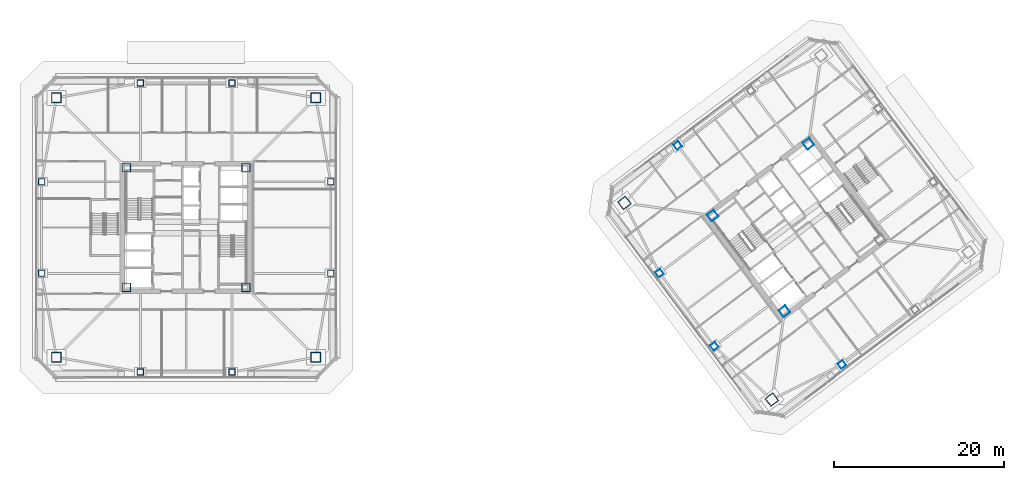
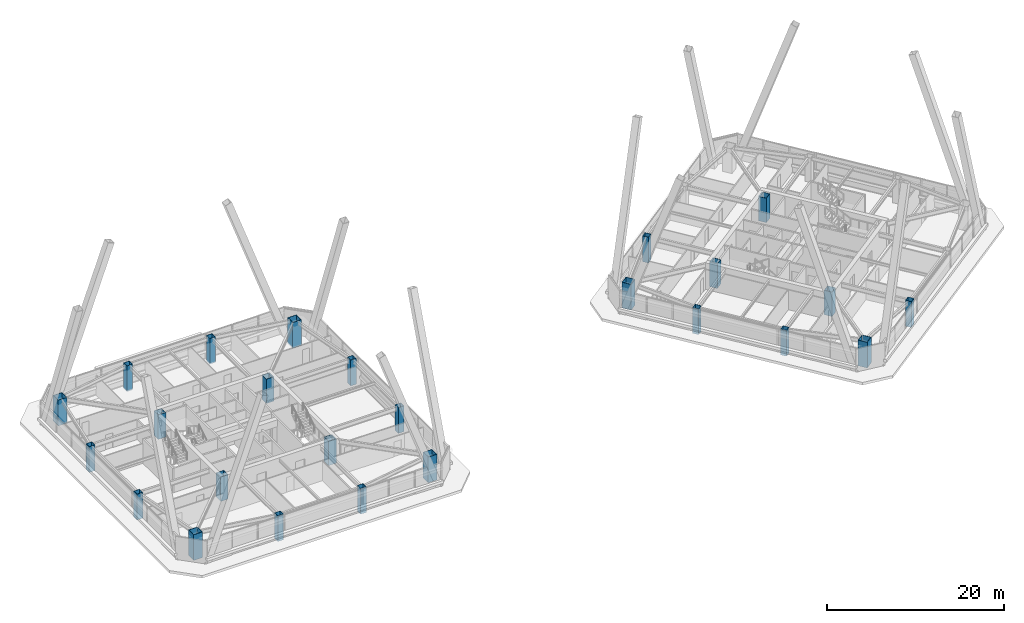
# One storey, part 1 of 65: 25 columns.
"""IFC4 building model written with IfcOpenShell, lengths in metres."""

from ifc_helpers import new_model, si_unit, direction, frame, origin, origin_2d, place, context, subcontext, project, spatial, hollow_rectangle, extrude, material, material_profile, profile_set, type_object, element, save


model = new_model("IFC4")

# Units and contexts
model_context = context("Model", 3, precision=1e-05, world=origin(), true_north=direction((0.0, 1.0)))
body_context = subcontext(model_context, "Body", "Model", "MODEL_VIEW")
ifc_project = project(units=[si_unit("LENGTHUNIT", "METRE"), si_unit("AREAUNIT", "SQUARE_METRE"), si_unit("VOLUMEUNIT", "CUBIC_METRE"), si_unit("PLANEANGLEUNIT", "RADIAN"), si_unit("MASSUNIT", "GRAM", prefix="KILO")], contexts=[model_context])

# Site, building, storey
site_placement = place(None, origin())
site = spatial("IfcSite", under=ifc_project, at=site_placement, CompositionType="ELEMENT")
building_placement = place(site_placement, origin())
building = spatial("IfcBuilding", under=site, at=building_placement, Name="Tashvorn Skyway Center", CompositionType="ELEMENT")
storey_placement = place(building_placement, frame((0.0, 0.0, 157.0)))
storey = spatial("IfcBuildingStorey", under=building, at=storey_placement, Name="L42", CompositionType="ELEMENT", Elevation=157.0)

# Columns
ifc_material = material(Name="Steel ASTM A572 Grade 50", Category="steel")
ifc_material_profile_1 = material_profile(ifc_material, hollow_rectangle(XDim=1.0, YDim=1.0, WallThickness=0.0400390625, at=origin_2d()), Name="BOX1000x1000x40")
ifc_profile_set_1 = profile_set([ifc_material_profile_1], Name="Steel ASTM A572 Grade 50")
column_type_1 = type_object("IfcColumnType", Name="COL-BOX1000x1000x40", PredefinedType="COLUMN", material=ifc_profile_set_1)
for number, where, z_axis, x_axis, name in (
    (1, (34.949951171875, 24.949951171875, 0.0), (0.0, 0.0, 1.0), (1.0, 0.0, 0.0), "Tower 1 L42 Core Corner Column CC-SW"),
    (2, (49.050048828125, 24.949951171875, 0.0), (0.0, 0.0, 1.0), (1.0, 0.0, 0.0), "Tower 1 L42 Core Corner Column CC-SE"),
    (3, (49.050048828125, 39.050048828125, 0.0), (0.0, 0.0, 1.0), (1.0, 0.0, 0.0), "Tower 1 L42 Core Corner Column CC-NE"),
    (4, (34.949951171875, 39.050048828125, 0.0), (0.0, 0.0, 1.0), (1.0, 0.0, 0.0), "Tower 1 L42 Core Corner Column CC-NW"),
    (5, (112.590087890625, 22.1298828125, 0.0), (0.0, 0.0, 1.0), (0.799999996291, 0.600000004945, 0.0), "Tower 2 L42 Core Corner Column CC-SW"),
    (6, (115.409912109375, 41.8701171875, 0.0), (0.0, 0.0, 1.0), (0.799999996291, 0.600000004945, 0.0), "Tower 2 L42 Core Corner Column CC-NE"),
    (7, (104.1298828125, 33.409912109375, 0.0), (0.0, 0.0, 1.0), (0.799999996291, 0.600000004945, 0.0), "Tower 2 L42 Core Corner Column CC-NW"),
):
    element("IfcColumn", number, at=place(storey_placement, frame(where, z_axis=z_axis, x_axis=x_axis)), inside=storey, type_object=column_type_1, Name=name, PredefinedType="COLUMN", context=body_context, shape_type="SweptSolid", body=[
        extrude(hollow_rectangle(XDim=1.0, YDim=1.0, WallThickness=0.0400390625, at=origin_2d()), origin(), (0.0, 0.0, 1.0), 3.3701171875),
    ])
ifc_material_profile_2 = material_profile(ifc_material, hollow_rectangle(XDim=1.14990234375, YDim=1.14990234375, WallThickness=0.044921875, at=origin_2d()), Name="BOX1150x1150x45")
ifc_profile_set_2 = profile_set([ifc_material_profile_2], Name="Steel ASTM A572 Grade 50")
column_type_2 = type_object("IfcColumnType", Name="COL-BOX1150x1150x45", PredefinedType="COLUMN", material=ifc_profile_set_2)
for number, where, z_axis, x_axis, name in (
    (8, (26.699951171875, 16.699951171875, -0.175048828125), (0.0, 0.0, 1.0), (1.0, 0.0, 0.0), "Tower 1 L42 Mega-Column MC-SW"),
    (9, (57.300048828125, 16.699951171875, -0.175048828125), (0.0, 0.0, 1.0), (1.0, 0.0, 0.0), "Tower 1 L42 Mega-Column MC-SE"),
    (10, (57.300048828125, 47.300048828125, -0.175048828125), (0.0, 0.0, 1.0), (1.0, 0.0, 0.0), "Tower 1 L42 Mega-Column MC-NE"),
    (11, (26.699951171875, 47.300048828125, -0.175048828125), (0.0, 0.0, 1.0), (1.0, 0.0, 0.0), "Tower 1 L42 Mega-Column MC-NW"),
    (12, (111.10009765625, 11.699951171875, -0.175048828125), (0.0, 0.0, 1.0), (0.799999996291, 0.600000004945, 0.0), "Tower 2 L42 Mega-Column MC-SW"),
    (13, (93.699951171875, 34.89990234375, -0.175048828125), (0.0, 0.0, 1.0), (0.799999996291, 0.600000004945, 0.0), "Tower 2 L42 Mega-Column MC-NW"),
):
    element("IfcColumn", number, at=place(storey_placement, frame(where, z_axis=z_axis, x_axis=x_axis)), inside=storey, type_object=column_type_2, Name=name, PredefinedType="COLUMN", context=body_context, shape_type="SweptSolid", body=[
        extrude(hollow_rectangle(XDim=1.14990234375, YDim=1.14990234375, WallThickness=0.044921875, at=origin_2d()), origin(), (0.0, 0.0, 1.0), 3.545166015625),
    ])
ifc_material_profile_3 = material_profile(ifc_material, hollow_rectangle(XDim=0.75, YDim=0.75, WallThickness=0.031982421875, at=origin_2d()), Name="BOX750x750x32")
ifc_profile_set_3 = profile_set([ifc_material_profile_3], Name="Steel ASTM A572 Grade 50")
column_type_3 = type_object("IfcColumnType", Name="COL-BOX750x750x32", PredefinedType="COLUMN", material=ifc_profile_set_3)
for number, where, z_axis, x_axis, name in (
    (14, (36.60009765625, 14.949951171875, -0.175048828125), (0.0, 0.0, 1.0), (1.0, 0.0, 0.0), "Tower 1 L42 Perimeter Column FC-S1"),
    (15, (47.39990234375, 14.949951171875, -0.175048828125), (0.0, 0.0, 1.0), (1.0, 0.0, 0.0), "Tower 1 L42 Perimeter Column FC-S2"),
    (16, (59.050048828125, 26.60009765625, -0.175048828125), (0.0, 0.0, 1.0), (1.0, 0.0, 0.0), "Tower 1 L42 Perimeter Column FC-E1"),
    (17, (59.050048828125, 37.39990234375, -0.175048828125), (0.0, 0.0, 1.0), (1.0, 0.0, 0.0), "Tower 1 L42 Perimeter Column FC-E2"),
    (18, (47.39990234375, 49.050048828125, -0.175048828125), (0.0, 0.0, 1.0), (1.0, 0.0, 0.0), "Tower 1 L42 Perimeter Column FC-N1"),
    (19, (36.60009765625, 49.050048828125, -0.175048828125), (0.0, 0.0, 1.0), (1.0, 0.0, 0.0), "Tower 1 L42 Perimeter Column FC-N2"),
    (20, (24.949951171875, 37.39990234375, -0.175048828125), (0.0, 0.0, 1.0), (1.0, 0.0, 0.0), "Tower 1 L42 Perimeter Column FC-W1"),
    (21, (24.949951171875, 26.60009765625, -0.175048828125), (0.0, 0.0, 1.0), (1.0, 0.0, 0.0), "Tower 1 L42 Perimeter Column FC-W2"),
    (22, (119.3701171875, 15.840087890625, -0.175048828125), (0.0, 0.0, 1.0), (0.799999996291, 0.600000004945, 0.0), "Tower 2 L42 Perimeter Column FC-S1"),
    (23, (99.989990234375, 41.679931640625, -0.175048828125), (0.0, 0.0, 1.0), (0.799999996291, 0.600000004945, 0.0), "Tower 2 L42 Perimeter Column FC-N2"),
    (24, (97.840087890625, 26.6298828125, -0.175048828125), (0.0, 0.0, 1.0), (0.799999996291, 0.600000004945, 0.0), "Tower 2 L42 Perimeter Column FC-W1"),
    (25, (104.320068359375, 17.989990234375, -0.175048828125), (0.0, 0.0, 1.0), (0.799999996291, 0.600000004945, 0.0), "Tower 2 L42 Perimeter Column FC-W2"),
):
    element("IfcColumn", number, at=place(storey_placement, frame(where, z_axis=z_axis, x_axis=x_axis)), inside=storey, type_object=column_type_3, Name=name, PredefinedType="COLUMN", context=body_context, shape_type="SweptSolid", body=[
        extrude(hollow_rectangle(XDim=0.75, YDim=0.75, WallThickness=0.031982421875, at=origin_2d()), origin(), (0.0, 0.0, 1.0), 3.545166015625),
    ])

save(model, "model.ifc")
